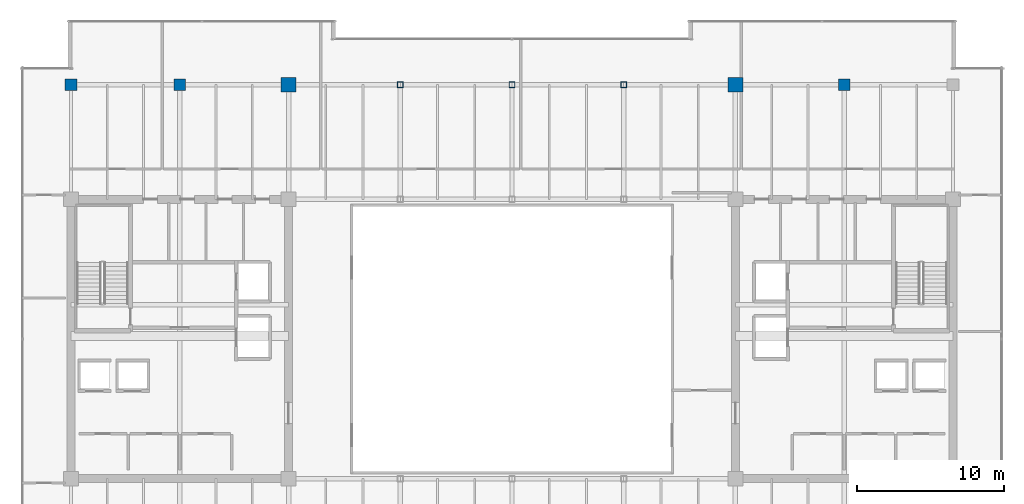
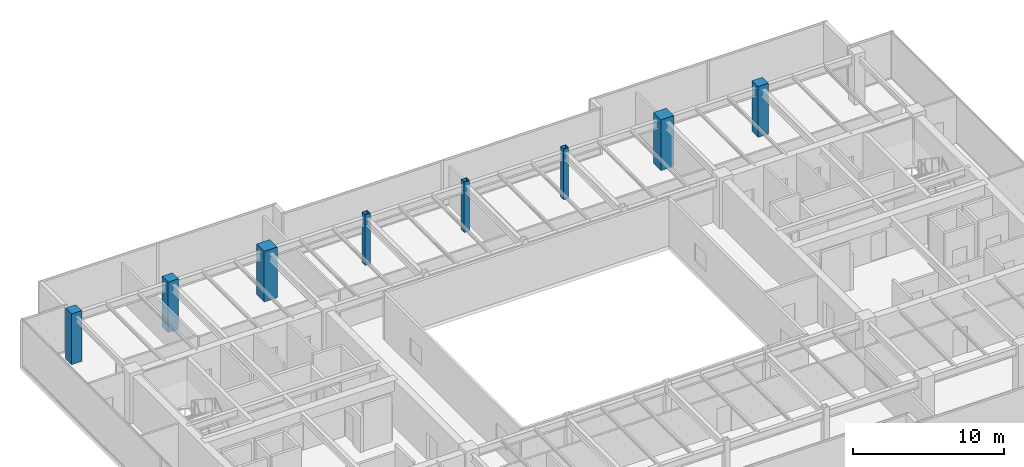
# One storey, part 3 of 33: 8 columns.
"""IFC4 building model written with IfcOpenShell, lengths in metres."""

import ifcopenshell
import ifcopenshell.guid

model = None  # the IFC model being written
_history = None  # IfcOwnerHistory: only IFC2X3 demands one
_inside = {}  # id of a spatial element -> (the spatial element, [elements in it])
_under = {}  # id of a project, library or spatial element -> (it, [spatial elements below it])
_declared = {}  # id of a project -> (the project, [libraries it declares])
_typed = {}  # id of a type object -> (the type object, [elements of that type])
_made_of = {}  # id of a material, layer set ... -> (it, [elements and type objects made of it])


def new_model(schema):
    """Start an empty IFC model of exactly this schema.

    Asked for "IFC4X3", IfcOpenShell would pick the latest addendum, in which some entities
    have other attributes; the version numbers below select the first issue.
    IFC2X3 requires an IfcOwnerHistory on every rooted entity: one is made here for all.
    """
    global model, _history
    if schema == "IFC4X3":
        model = ifcopenshell.file(schema_version=(4, 3, 0, 0))
    else:
        model = ifcopenshell.file(schema=schema)
    _inside.clear()
    _under.clear()
    _declared.clear()
    _typed.clear()
    _made_of.clear()
    _history = None
    if model.schema == "IFC2X3":
        org = make("IfcOrganization", Name="unknown")
        user = make(
            "IfcPersonAndOrganization",
            ThePerson=make("IfcPerson", FamilyName="unknown"),
            TheOrganization=org,
        )
        app = make(
            "IfcApplication",
            ApplicationDeveloper=org,
            Version="unknown",
            ApplicationFullName="unknown",
            ApplicationIdentifier="unknown",
        )
        _history = make(
            "IfcOwnerHistory",
            OwningUser=user,
            OwningApplication=app,
            ChangeAction="ADDED",
            CreationDate=0,
        )
    return model


def make(cls, **values):
    """One entity of the class cls with the attributes given. An attribute that is None is left unset."""
    return model.create_entity(
        cls, **{name: value for name, value in values.items() if value is not None}
    )


def rooted(cls, **values):
    """An entity with a GlobalId (a new one), such as an element, a storey or a relation."""
    return make(cls, GlobalId=ifcopenshell.guid.new(), OwnerHistory=_history, **values)


def si_unit(unit_type, name, prefix=None):
    """IfcSIUnit, for example si_unit("LENGTHUNIT", "METRE", prefix="MILLI")."""
    return make("IfcSIUnit", UnitType=unit_type, Prefix=prefix, Name=name)


def assignment(units):
    """IfcUnitAssignment: the units of a project."""
    return None if units is None else make("IfcUnitAssignment", Units=units)


def point(xyz):
    """IfcCartesianPoint."""
    return None if xyz is None else make("IfcCartesianPoint", Coordinates=xyz)


def direction(xyz):
    """IfcDirection."""
    return None if xyz is None else make("IfcDirection", DirectionRatios=xyz)


def frame(location, z_axis=None, x_axis=None):
    """IfcAxis2Placement3D, a coordinate frame: its origin and axes. An axis left out is left unset."""
    return make(
        "IfcAxis2Placement3D",
        Location=point(location),
        Axis=direction(z_axis),
        RefDirection=direction(x_axis),
    )


def frame_2d(location, x_axis=None):
    """IfcAxis2Placement2D, a coordinate frame in the plane: its origin and x axis."""
    return make(
        "IfcAxis2Placement2D", Location=point(location), RefDirection=direction(x_axis)
    )


def origin():
    """The frame at (0, 0, 0) with its axes left unset."""
    return frame((0.0, 0.0, 0.0))


def origin_2d():
    """The frame at (0, 0) in the plane with its x axis left unset."""
    return frame_2d((0.0, 0.0))


def place(relative_to, where):
    """IfcLocalPlacement: puts the frame where relative to a parent placement (None: the world)."""
    return make(
        "IfcLocalPlacement", PlacementRelTo=relative_to, RelativePlacement=where
    )


def context(
    kind, dimensions, precision=None, world=None, true_north=None, identifier=None
):
    """IfcGeometricRepresentationContext, for example the 3D "Model" context."""
    return make(
        "IfcGeometricRepresentationContext",
        ContextIdentifier=identifier,
        ContextType=kind,
        CoordinateSpaceDimension=dimensions,
        Precision=precision,
        WorldCoordinateSystem=world,
        TrueNorth=true_north,
    )


def subcontext(parent, identifier, kind, view, scale=None):
    """IfcGeometricRepresentationSubContext, for example "Body" below "Model"."""
    return make(
        "IfcGeometricRepresentationSubContext",
        ContextIdentifier=identifier,
        ContextType=kind,
        ParentContext=parent,
        TargetScale=scale,
        TargetView=view,
    )


def project(units=None, contexts=None):
    """IfcProject with its units and contexts."""
    return rooted(
        "IfcProject",
        Name="project",
        RepresentationContexts=contexts,
        UnitsInContext=assignment(units),
    )


def spatial(cls, under=None, at=None, **own):
    """A site, building, storey or space (cls), placed at a placement, below another one or the project."""
    s = rooted(cls, ObjectPlacement=at, **own)
    if under is not None:
        _under.setdefault(under.id(), (under, []))[1].append(s)
    return s


def profile(cls, at=None, kind="AREA", **sizes):
    """A parametric profile (cls). Its sizes go by their IFC names, for example OverallWidth=200.0."""
    return make(cls, ProfileType=kind, Position=at, **sizes)


def rectangle(**sizes):
    """IfcRectangleProfileDef."""
    return profile("IfcRectangleProfileDef", **sizes)


def hollow_rectangle(**sizes):
    """IfcRectangleHollowProfileDef."""
    return profile("IfcRectangleHollowProfileDef", **sizes)


def extrude(swept, where, along, depth):
    """IfcExtrudedAreaSolid: the profile swept, set in the frame where, extruded along a direction by depth."""
    return make(
        "IfcExtrudedAreaSolid",
        SweptArea=swept,
        Position=where,
        ExtrudedDirection=direction(along),
        Depth=depth,
    )


def shape(context_of_items, identifier, shape_type, items):
    """IfcShapeRepresentation: the items that make up one representation, for example the "Body"."""
    return make(
        "IfcShapeRepresentation",
        ContextOfItems=context_of_items,
        RepresentationIdentifier=identifier,
        RepresentationType=shape_type,
        Items=items,
    )


def source(mapping_origin, context_of_items, identifier, shape_type, items):
    """IfcRepresentationMap: a shape defined once, which mapped items show again and again."""
    return make(
        "IfcRepresentationMap",
        MappingOrigin=mapping_origin,
        MappedRepresentation=shape(context_of_items, identifier, shape_type, items),
    )


def transform(
    local_origin,
    x_axis=None,
    y_axis=None,
    z_axis=None,
    scale=None,
    scale2=None,
    scale3=None,
    uniform=True,
):
    """IfcCartesianTransformationOperator3D, or its non-uniform kind. x_axis, y_axis, z_axis: its Axis1, 2, 3."""
    if uniform:
        return make(
            "IfcCartesianTransformationOperator3D",
            Axis1=direction(x_axis),
            Axis2=direction(y_axis),
            LocalOrigin=point(local_origin),
            Scale=scale,
            Axis3=direction(z_axis),
        )
    return make(
        "IfcCartesianTransformationOperator3DnonUniform",
        Axis1=direction(x_axis),
        Axis2=direction(y_axis),
        LocalOrigin=point(local_origin),
        Scale=scale,
        Axis3=direction(z_axis),
        Scale2=scale2,
        Scale3=scale3,
    )


def mapped(mapping_source, mapping_target):
    """IfcMappedItem: shows the shape of a source again, moved by a transform."""
    return make(
        "IfcMappedItem", MappingSource=mapping_source, MappingTarget=mapping_target
    )


def material(Name=None, Category=None):
    """IfcMaterial."""
    return make("IfcMaterial", Name=Name, Category=Category)


def material_profile(
    of_material, cross_section, Name=None, Category=None, Priority=None
):
    """IfcMaterialProfile: a cross section and its material."""
    return make(
        "IfcMaterialProfile",
        Name=Name,
        Material=of_material,
        Profile=cross_section,
        Priority=Priority,
        Category=Category,
    )


def profile_set(profiles, Name=None, composite=None):
    """IfcMaterialProfileSet."""
    return make(
        "IfcMaterialProfileSet",
        Name=Name,
        MaterialProfiles=profiles,
        CompositeProfile=composite,
    )


def made_of(thing, what):
    """Note that an element or type object is made of a material, layer set ...; save() writes the relation."""
    if what is not None:
        _made_of.setdefault(what.id(), (what, []))[1].append(thing)
    return thing


def type_object(cls, material=None, **own):
    """A type object (cls), such as IfcWallType, which elements share."""
    return made_of(rooted(cls, **own), material)


def type_shapes(of_type, sources):
    """Give a type object the sources (RepresentationMaps) that its elements show as mapped items."""
    of_type.RepresentationMaps = sources


def element(
    cls,
    number,
    at=None,
    inside=None,
    cuts=None,
    type_object=None,
    material=None,
    context=None,
    identifier="Body",
    shape_type=None,
    held_by="IfcProductDefinitionShape",
    body=None,
    shapes=None,
    **own,
):
    """One element of the class cls, such as IfcWall. Its Tag is "e" and its number.

    at: its placement. inside: the storey or other place that contains it. cuts: it is an
    opening in that element (IfcRelVoidsElement). A single representation is given by context,
    identifier, shape_type and body (its items); several are given by shapes. held_by: the class
    of the entity that holds the representations. save() writes the other relations.
    """
    e = rooted(cls, Tag="e%d" % number, ObjectPlacement=at, **own)
    if body is not None:
        shapes = [shape(context, identifier, shape_type, body)]
    if shapes is not None:
        e.Representation = make(held_by, Representations=shapes)
    if inside is not None:
        _inside.setdefault(inside.id(), (inside, []))[1].append(e)
    if cuts is not None:
        rooted(
            "IfcRelVoidsElement", RelatingBuildingElement=cuts, RelatedOpeningElement=e
        )
    if type_object is not None:
        _typed.setdefault(type_object.id(), (type_object, []))[1].append(e)
    return made_of(e, material)


def aggregate(whole, parts):
    """IfcRelAggregates: a whole, such as a stair, and the parts it consists of."""
    return rooted("IfcRelAggregates", RelatingObject=whole, RelatedObjects=parts)


def save(model, path):
    """Write the relations noted so far, then the file.

    IfcRelAggregates (storeys below a building ...), IfcRelContainedInSpatialStructure (elements
    in a storey), IfcRelDefinesByType, IfcRelAssociatesMaterial and IfcRelDeclares: one each for
    every whole, place, type object, material and project.
    """
    for whole, parts in _under.values():
        aggregate(whole, parts)
    for where, things in _inside.values():
        rooted(
            "IfcRelContainedInSpatialStructure",
            RelatedElements=things,
            RelatingStructure=where,
        )
    for kind, things in _typed.values():
        rooted("IfcRelDefinesByType", RelatedObjects=things, RelatingType=kind)
    for what, things in _made_of.values():
        rooted("IfcRelAssociatesMaterial", RelatedObjects=things, RelatingMaterial=what)
    for by, libraries in _declared.values():
        rooted("IfcRelDeclares", RelatingContext=by, RelatedDefinitions=libraries)
    model.write(path)


model = new_model("IFC4")

# Units and contexts
model_context = context("Model", 3, precision=1e-05, world=origin(), true_north=direction((0.0, 1.0)))
body_context = subcontext(model_context, "Body", "Model", "MODEL_VIEW")
ifc_project = project(units=[si_unit("LENGTHUNIT", "METRE"), si_unit("AREAUNIT", "SQUARE_METRE"), si_unit("VOLUMEUNIT", "CUBIC_METRE"), si_unit("PLANEANGLEUNIT", "RADIAN"), si_unit("MASSUNIT", "GRAM", prefix="KILO")], contexts=[model_context])

# Site, building, storey
site_placement = place(None, origin())
site = spatial("IfcSite", under=ifc_project, at=site_placement, CompositionType="ELEMENT")
building_placement = place(site_placement, origin())
building = spatial("IfcBuilding", under=site, at=building_placement, Name="Haelvirn Gate Laboratories", CompositionType="ELEMENT")
storey_placement = place(building_placement, frame((0.0, 0.0, 275.199951171875)))
storey = spatial("IfcBuildingStorey", under=building, at=storey_placement, Name="L66", CompositionType="ELEMENT", Elevation=275.199951171875)

# Columns
ifc_material_1 = material(Name="Concrete C60/75", Category="concrete")
ifc_material_profile_1 = material_profile(ifc_material_1, rectangle(XDim=1.0, YDim=1.0, at=origin_2d()), Name="RC-1000x1000")
ifc_profile_set_1 = profile_set([ifc_material_profile_1], Name="Concrete C60/75")
column_type_1 = type_object("IfcColumnType", Name="COL-RC-1000", PredefinedType="COLUMN", material=ifc_profile_set_1)
shared_shape_1 = source(origin(), body_context, "Body", "SweptSolid", [
    extrude(rectangle(XDim=1.0, YDim=1.0, at=origin_2d()), origin(), (0.0, 0.0, 1.0), 4.10009765625),
])
type_shapes(column_type_1, [shared_shape_1])
for number, where, z_axis, x_axis, name in (
    (1, (22.199951171875, 41.60009765625, 0.0), (0.0, 0.0, 1.0), (1.0, 0.0, 0.0), "L66 Column 4G"),
    (2, (52.60009765625, 41.60009765625, 0.0), (0.0, 0.0, 1.0), (1.0, 0.0, 0.0), "L66 Column 8G"),
):
    element("IfcColumn", number, at=place(storey_placement, frame(where, z_axis=z_axis, x_axis=x_axis)), inside=storey, type_object=column_type_1, Name=name, PredefinedType="COLUMN", context=body_context, shape_type="MappedRepresentation", body=[
        mapped(shared_shape_1, transform((0.0, 0.0, 0.0), scale=1.0)),
    ])
ifc_material_2 = material(Name="Concrete C50/60", Category="concrete")
ifc_material_profile_2 = material_profile(ifc_material_2, rectangle(XDim=0.800048828125, YDim=0.800048828125, at=origin_2d()), Name="RC-800x800")
ifc_profile_set_2 = profile_set([ifc_material_profile_2], Name="Concrete C50/60")
column_type_2 = type_object("IfcColumnType", Name="COL-RC-800", PredefinedType="COLUMN", material=ifc_profile_set_2)
shared_shape_2 = source(origin(), body_context, "Body", "SweptSolid", [
    extrude(rectangle(XDim=0.800048828125, YDim=0.800048828125, at=origin_2d()), origin(), (0.0, 0.0, 1.0), 4.10009765625),
])
type_shapes(column_type_2, [shared_shape_2])
for number, where, z_axis, x_axis, name in (
    (3, (14.800048828125, 41.60009765625, 0.0), (0.0, 0.0, 1.0), (1.0, 0.0, 0.0), "L66 Column 3G"),
    (4, (60.0, 41.60009765625, 0.0), (0.0, 0.0, 1.0), (1.0, 0.0, 0.0), "L66 Column 9G"),
    (5, (7.39990234375, 41.60009765625, 0.0), (0.0, 0.0, 1.0), (1.0, 0.0, 0.0), "L66 Column 2G"),
):
    element("IfcColumn", number, at=place(storey_placement, frame(where, z_axis=z_axis, x_axis=x_axis)), inside=storey, type_object=column_type_2, Name=name, PredefinedType="COLUMN", context=body_context, shape_type="MappedRepresentation", body=[
        mapped(shared_shape_2, transform((0.0, 0.0, 0.0), scale=1.0)),
    ])
ifc_material_3 = material(Name="Steel SM355", Category="steel")
ifc_material_profile_3 = material_profile(ifc_material_3, hollow_rectangle(XDim=0.39990234375, YDim=0.39990234375, WallThickness=0.01904296875, at=origin_2d()), Name="BOX-400x400x19")
ifc_profile_set_3 = profile_set([ifc_material_profile_3], Name="Steel SM355")
column_type_3 = type_object("IfcColumnType", Name="COL-BOX-400", PredefinedType="COLUMN", material=ifc_profile_set_3)
shared_shape_3 = source(origin(), body_context, "Body", "SweptSolid", [
    extrude(hollow_rectangle(XDim=0.39990234375, YDim=0.39990234375, WallThickness=0.01904296875, at=origin_2d()), origin(), (0.0, 0.0, 1.0), 4.10009765625),
])
type_shapes(column_type_3, [shared_shape_3])
for number, where, z_axis, x_axis, name in (
    (6, (29.800048828125, 41.60009765625, 0.0), (0.0, 0.0, 1.0), (1.0, 0.0, 0.0), "L66 Column 5G"),
    (7, (37.39990234375, 41.60009765625, 0.0), (0.0, 0.0, 1.0), (1.0, 0.0, 0.0), "L66 Column 6G"),
    (8, (45.0, 41.60009765625, 0.0), (0.0, 0.0, 1.0), (1.0, 0.0, 0.0), "L66 Column 7G"),
):
    element("IfcColumn", number, at=place(storey_placement, frame(where, z_axis=z_axis, x_axis=x_axis)), inside=storey, type_object=column_type_3, Name=name, PredefinedType="COLUMN", context=body_context, shape_type="MappedRepresentation", body=[
        mapped(shared_shape_3, transform((0.0, 0.0, 0.0), scale=1.0)),
    ])

save(model, "model.ifc")
